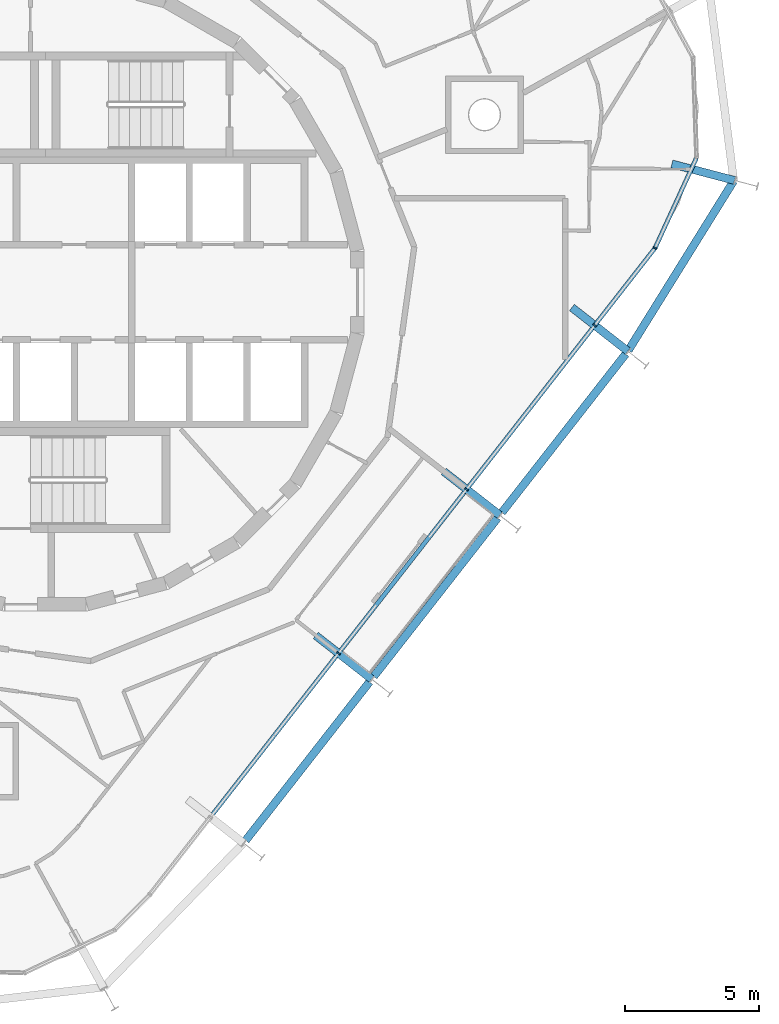
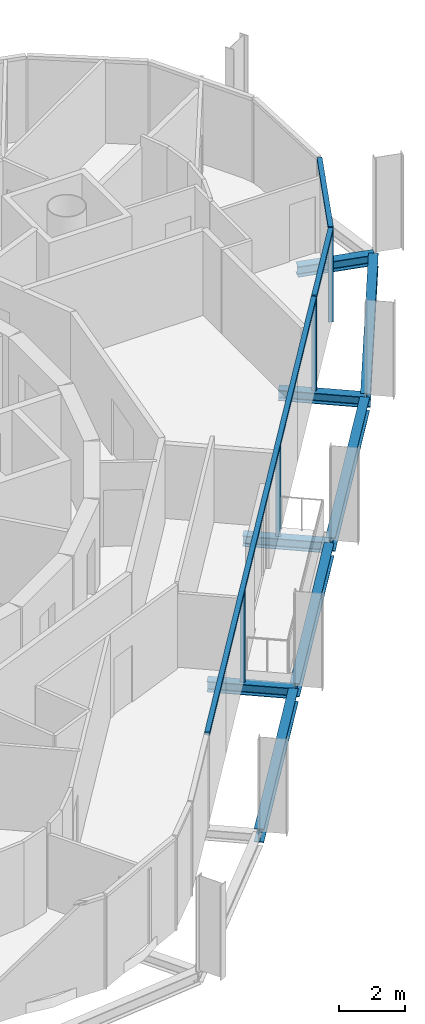
# One storey, part 4 of 15: 8 beams, 7 members, 2 elements without a shape of their own.
"""IFC4 building model written with IfcOpenShell, lengths in metres."""

from ifc_helpers import new_model, si_unit, direction, frame, origin, origin_2d, place, context, subcontext, project, spatial, rectangle, i_section, extrude, material, layer, layer_set, material_profile, profile_set, type_object, element, aggregate, save


model = new_model("IFC4")

# Units and contexts
model_context = context("Model", 3, precision=1e-05, world=origin(), true_north=direction((0.0, 1.0)))
body_context = subcontext(model_context, "Body", "Model", "MODEL_VIEW")
ifc_project = project(units=[si_unit("LENGTHUNIT", "METRE"), si_unit("AREAUNIT", "SQUARE_METRE"), si_unit("VOLUMEUNIT", "CUBIC_METRE"), si_unit("PLANEANGLEUNIT", "RADIAN"), si_unit("MASSUNIT", "GRAM", prefix="KILO")], contexts=[model_context])

# Site, building, storey
site_placement = place(None, origin())
site = spatial("IfcSite", under=ifc_project, at=site_placement, CompositionType="ELEMENT")
building_placement = place(site_placement, origin())
building = spatial("IfcBuilding", under=site, at=building_placement, Name="Spindle Arch Residences", CompositionType="ELEMENT")
storey_placement = place(building_placement, frame((0.0, 0.0, 343.5)))
storey = spatial("IfcBuildingStorey", under=building, at=storey_placement, Name="L88", CompositionType="ELEMENT", Elevation=343.5)

# Curtain wall, members
ifc_material_1 = material(Name="Aluminium bronze unitised frame with tinted glass", Category="aluminium")
ifc_layer_1 = layer(ifc_material_1, 0.159912109375)
ifc_layer_set_1 = layer_set([ifc_layer_1], Name="CW-D corner wall on the fillet arcs")
curtain_wall_type_1 = type_object("IfcCurtainWallType", Name="CW-D corner wall on the fillet arcs", PredefinedType="NOTDEFINED", material=ifc_layer_set_1)
curtain_wall_1_placement = place(storey_placement, origin())
curtain_wall_1 = element("IfcCurtainWall", 1, at=curtain_wall_1_placement, inside=storey, type_object=curtain_wall_type_1, Name="CW-D L88 run 1", PredefinedType="NOTDEFINED")
ifc_material_2 = material(Name="Aluminium bronze anodised mullion", Category="aluminium")
ifc_material_profile_1 = material_profile(ifc_material_2, rectangle(XDim=0.159912109375, YDim=0.06005859375, at=origin_2d()), Name="MU 60x160")
ifc_profile_set_1 = profile_set([ifc_material_profile_1], Name="Aluminium bronze anodised mullion")
member_type_1 = type_object("IfcMemberType", Name="Bronze mullion 60x160", PredefinedType="MULLION", material=ifc_profile_set_1)
member_1_placement = place(storey_placement, frame((20.50341796875, -1.237060546875, -0.3798828125), z_axis=(0.0, 0.0, 1.0), x_axis=(-0.788010753607, 0.615661475326, 0.0)))
member_1 = element("IfcMember", 2, at=member_1_placement, type_object=member_type_1, Name="CW-D mullion 00", PredefinedType="MULLION", context=body_context, shape_type="SweptSolid", body=[
    extrude(rectangle(XDim=0.159912109375, YDim=0.06005859375, at=origin_2d()), origin(), (0.0, 0.0, 1.0), 3.3798828125),
])
member_2_placement = place(storey_placement, frame((22.7568359375, 1.647216796875, -0.3798828125), z_axis=(0.0, 0.0, 1.0), x_axis=(-0.908751129947, 0.417338452362, 0.0)))
member_2 = element("IfcMember", 3, at=member_2_placement, type_object=member_type_1, Name="CW-D mullion 01", PredefinedType="MULLION", context=body_context, shape_type="SweptSolid", body=[
    extrude(rectangle(XDim=0.159912109375, YDim=0.06005859375, at=origin_2d()), origin(), (0.0, 0.0, 1.0), 3.3798828125),
])

ifc_material_3 = material(Name="Aluminium bronze unitised frame with tinted glass", Category="aluminium")
ifc_layer_2 = layer(ifc_material_3, 0.159912109375)
ifc_layer_set_2 = layer_set([ifc_layer_2], Name="CW-C typical residential unitised wall")
curtain_wall_type_2 = type_object("IfcCurtainWallType", Name="CW-C typical residential unitised wall", PredefinedType="NOTDEFINED", material=ifc_layer_set_2)
curtain_wall_2_placement = place(storey_placement, origin())
curtain_wall_2 = element("IfcCurtainWall", 4, at=curtain_wall_2_placement, inside=storey, type_object=curtain_wall_type_2, Name="CW-C L88 run 6", PredefinedType="NOTDEFINED")
member_3_placement = place(storey_placement, frame((10.94140625, -13.4755859375, -0.3798828125), z_axis=(0.0, 0.0, 1.0), x_axis=(-0.788010753607, 0.615661475326, 0.0)))
member_3 = element("IfcMember", 5, at=member_3_placement, type_object=member_type_1, Name="CW-C mullion 19", PredefinedType="MULLION", context=body_context, shape_type="SweptSolid", body=[
    extrude(rectangle(XDim=0.159912109375, YDim=0.06005859375, at=origin_2d()), origin(), (0.0, 0.0, 1.0), 3.3798828125),
])
member_4_placement = place(storey_placement, frame((15.722412109375, -7.3564453125, -0.3798828125), z_axis=(0.0, 0.0, 1.0), x_axis=(-0.788010753607, 0.615661475326, 0.0)))
member_4 = element("IfcMember", 6, at=member_4_placement, type_object=member_type_1, Name="CW-C mullion 00", PredefinedType="MULLION", context=body_context, shape_type="SweptSolid", body=[
    extrude(rectangle(XDim=0.159912109375, YDim=0.06005859375, at=origin_2d()), origin(), (0.0, 0.0, 1.0), 3.3798828125),
])

# Member
ifc_material_4 = material(Name="Aluminium bronze anodised transom", Category="aluminium")
ifc_material_profile_2 = material_profile(ifc_material_4, rectangle(XDim=0.159912109375, YDim=0.1201171875, at=origin_2d()), Name="TR 120x160")
ifc_profile_set_2 = profile_set([ifc_material_profile_2], Name="Aluminium bronze anodised transom")
member_type_2 = type_object("IfcMemberType", Name="Bronze transom 120x160", PredefinedType="USERDEFINED", material=ifc_profile_set_2)
member_5_placement = place(storey_placement, frame((20.521728515625, -1.21337890625, 3.06005859375), z_axis=(0.615647989673, 0.788021289568, 0.0), x_axis=(-0.788021289568, 0.615647989673, 0.0)))
member_5 = element("IfcMember", 7, at=member_5_placement, type_object=member_type_2, Name="CW-D transom 00", ObjectType="TRANSOM", PredefinedType="USERDEFINED", context=body_context, shape_type="SweptSolid", body=[
    extrude(rectangle(XDim=0.159912109375, YDim=0.1201171875, at=origin_2d()), origin(), (0.0, 0.0, 1.0), 3.600341796875),
])

member_6_placement = place(storey_placement, frame((22.769287109375, 1.674560546875, 3.06005859375), z_axis=(0.417326323855, 0.908756699792, 0.0), x_axis=(-0.908756699792, 0.417326323855, 0.0)))
member_6 = element("IfcMember", 8, at=member_6_placement, type_object=member_type_2, Name="CW-D transom 01", ObjectType="TRANSOM", PredefinedType="USERDEFINED", context=body_context, shape_type="SweptSolid", body=[
    extrude(rectangle(XDim=0.159912109375, YDim=0.1201171875, at=origin_2d()), origin(), (0.0, 0.0, 1.0), 3.666748046875),
])

aggregate(curtain_wall_1, [member_1, member_5, member_2, member_6])

member_7_placement = place(storey_placement, frame((6.178955078125, -19.571533203125, 3.06005859375), z_axis=(0.615655051857, 0.788015772128, 0.0), x_axis=(-0.788015772128, 0.615655051857, 0.0)))
member_7 = element("IfcMember", 9, at=member_7_placement, type_object=member_type_2, Name="CW-C transom 00", ObjectType="TRANSOM", PredefinedType="USERDEFINED", context=body_context, shape_type="SweptSolid", body=[
    extrude(rectangle(XDim=0.159912109375, YDim=0.1201171875, at=origin_2d()), origin(), (0.0, 0.0, 1.0), 23.23681640625),
])

aggregate(curtain_wall_2, [member_7, member_3, member_4])

# Beams
ifc_material_5 = material(Name="Steel S460ML, intumescent coating R 120", Category="steel")
ifc_material_profile_3 = material_profile(ifc_material_5, i_section(OverallWidth=0.300048828125, OverallDepth=0.5, WebThickness=0.014404296875, FlangeThickness=0.028076171875, FilletRadius=0.027099609375, at=origin_2d()), Name="HEB 500")
ifc_profile_set_3 = profile_set([ifc_material_profile_3], Name="Steel S460ML, intumescent coating R 120")
beam_type_1 = type_object("IfcBeamType", Name="Exoskeleton edge beam HEB 500", PredefinedType="BEAM", material=ifc_profile_set_3)
beam_1_placement = place(storey_placement, frame((17.03955078125, -8.220458984375, -0.6298828125), z_axis=(0.615652879069, 0.788017469663, 0.0), x_axis=(-0.788017469663, 0.615652879069, 0.0)))
element("IfcBeam", 10, at=beam_1_placement, inside=storey, type_object=beam_type_1, Name="Exoskeleton edge beam 1", PredefinedType="BEAM", context=body_context, shape_type="SweptSolid", body=[
    extrude(i_section(OverallWidth=0.300048828125, OverallDepth=0.5, WebThickness=0.014404296875, FlangeThickness=0.028076171875, FilletRadius=0.027099609375, at=origin_2d()), origin(), (0.0, 0.0, 1.0), 7.505615234375),
])
beam_2_placement = place(storey_placement, frame((21.760498046875, -2.17041015625, -0.6298828125), z_axis=(0.527890607505, 0.849312372751, 0.0), x_axis=(-0.849312372751, 0.527890607505, 0.0)))
element("IfcBeam", 11, at=beam_2_placement, inside=storey, type_object=beam_type_1, Name="Exoskeleton edge beam 2", PredefinedType="BEAM", context=body_context, shape_type="SweptSolid", body=[
    extrude(i_section(OverallWidth=0.300048828125, OverallDepth=0.5, WebThickness=0.014404296875, FlangeThickness=0.028076171875, FilletRadius=0.027099609375, at=origin_2d()), origin(), (0.0, 0.0, 1.0), 7.437744140625),
])
for number, where, z_axis, x_axis, name in (
    (12, (7.4775390625, -20.459228515625, -0.6298828125), (0.615673077274, 0.788001689034, 0.0), (-0.788001689034, 0.615673077274, 0.0), "Exoskeleton edge beam 19"),
    (13, (12.258544921875, -14.33984375, -0.6298828125), (0.615673077274, 0.788001689034, 0.0), (-0.788001689034, 0.615673077274, 0.0), "Exoskeleton edge beam 20"),
):
    element("IfcBeam", number, at=place(storey_placement, frame(where, z_axis=z_axis, x_axis=x_axis)), inside=storey, type_object=beam_type_1, Name=name, PredefinedType="BEAM", context=body_context, shape_type="SweptSolid", body=[
        extrude(i_section(OverallWidth=0.300048828125, OverallDepth=0.5, WebThickness=0.014404296875, FlangeThickness=0.028076171875, FilletRadius=0.027099609375, at=origin_2d()), origin(), (0.0, 0.0, 1.0), 7.505859375),
    ])
ifc_material_6 = material(Name="Steel S460ML, intumescent coating R 120", Category="steel")
ifc_material_profile_4 = material_profile(ifc_material_6, i_section(OverallWidth=0.300048828125, OverallDepth=0.389892578125, WebThickness=0.010986328125, FlangeThickness=0.01904296875, FilletRadius=0.027099609375, at=origin_2d()), Name="HEA 400")
ifc_profile_set_4 = profile_set([ifc_material_profile_4], Name="Steel S460ML, intumescent coating R 120")
beam_type_2 = type_object("IfcBeamType", Name="Floor outrigger HEA 400", PredefinedType="BEAM", material=ifc_profile_set_4)
beam_3_placement = place(storey_placement, frame((16.959716796875, -8.322998046875, -0.574951171875), z_axis=(-0.788015993799, 0.615654768127, 0.0), x_axis=(-0.615654768127, -0.788015993799, 0.0)))
element("IfcBeam", 14, at=beam_3_placement, inside=storey, type_object=beam_type_2, Name="Floor outrigger 1", PredefinedType="BEAM", context=body_context, shape_type="SweptSolid", body=[
    extrude(i_section(OverallWidth=0.300048828125, OverallDepth=0.389892578125, WebThickness=0.010986328125, FlangeThickness=0.01904296875, FilletRadius=0.027099609375, at=origin_2d()), origin(), (0.0, 0.0, 1.0), 2.650146484375),
])
beam_4_placement = place(storey_placement, frame((21.740478515625, -2.20361328125, -0.574951171875), z_axis=(-0.787981072726, 0.615699463233, 0.0), x_axis=(-0.615699463233, -0.787981072726, 0.0)))
element("IfcBeam", 15, at=beam_4_placement, inside=storey, type_object=beam_type_2, Name="Floor outrigger 2", PredefinedType="BEAM", context=body_context, shape_type="SweptSolid", body=[
    extrude(i_section(OverallWidth=0.300048828125, OverallDepth=0.389892578125, WebThickness=0.010986328125, FlangeThickness=0.01904296875, FilletRadius=0.027099609375, at=origin_2d()), origin(), (0.0, 0.0, 1.0), 2.64990234375),
])
beam_5_placement = place(storey_placement, frame((25.723388671875, 4.17138671875, -0.574951171875), z_axis=(-0.967207729223, 0.253986630616, 0.0), x_axis=(-0.253986630616, -0.967207729223, 0.0)))
element("IfcBeam", 16, at=beam_5_placement, inside=storey, type_object=beam_type_2, Name="Floor outrigger 3", PredefinedType="BEAM", context=body_context, shape_type="SweptSolid", body=[
    extrude(i_section(OverallWidth=0.300048828125, OverallDepth=0.389892578125, WebThickness=0.010986328125, FlangeThickness=0.01904296875, FilletRadius=0.027099609375, at=origin_2d()), origin(), (0.0, 0.0, 1.0), 2.41943359375),
])
beam_6_placement = place(storey_placement, frame((12.1787109375, -14.4423828125, -0.574951171875), z_axis=(-0.788015993799, 0.615654768127, 0.0), x_axis=(-0.615654768127, -0.788015993799, 0.0)))
element("IfcBeam", 17, at=beam_6_placement, inside=storey, type_object=beam_type_2, Name="Floor outrigger 20", PredefinedType="BEAM", context=body_context, shape_type="SweptSolid", body=[
    extrude(i_section(OverallWidth=0.300048828125, OverallDepth=0.389892578125, WebThickness=0.010986328125, FlangeThickness=0.01904296875, FilletRadius=0.027099609375, at=origin_2d()), origin(), (0.0, 0.0, 1.0), 2.650146484375),
])

save(model, "model.ifc")
